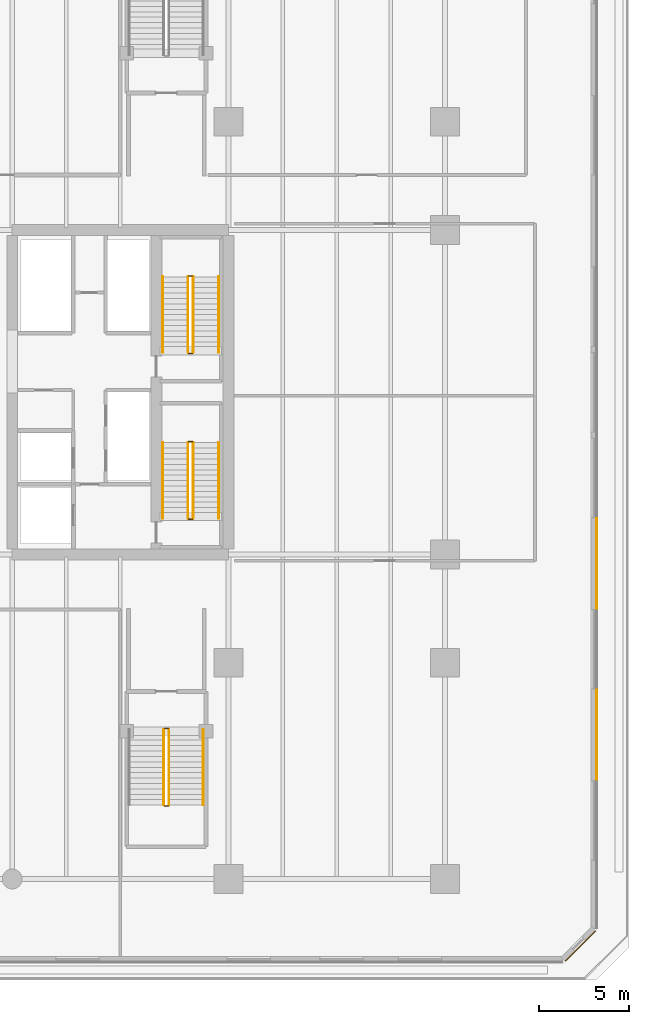
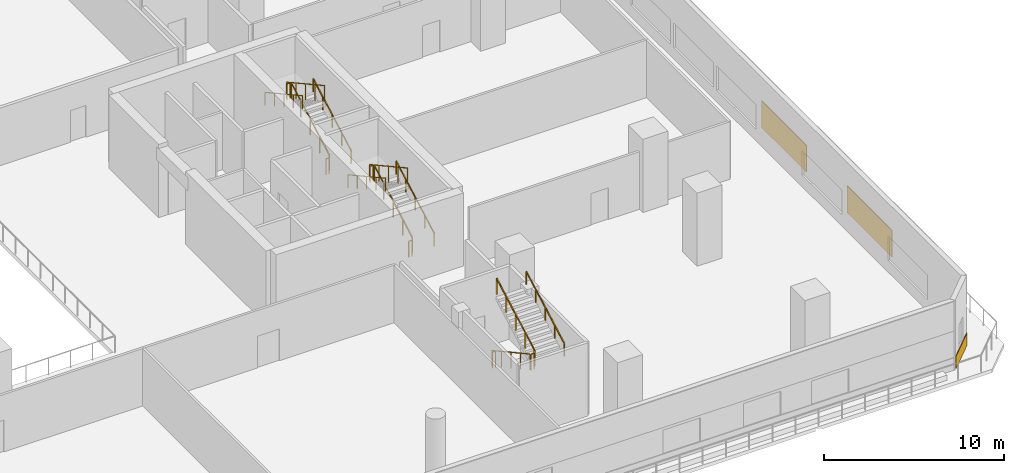
# One storey, part 25 of 27: 17 railings, 3 coverings.
"""IFC4 building model written with IfcOpenShell, lengths in metres."""

import ifcopenshell
import ifcopenshell.guid

model = None  # the IFC model being written
_history = None  # IfcOwnerHistory: only IFC2X3 demands one
_inside = {}  # id of a spatial element -> (the spatial element, [elements in it])
_under = {}  # id of a project, library or spatial element -> (it, [spatial elements below it])
_declared = {}  # id of a project -> (the project, [libraries it declares])
_typed = {}  # id of a type object -> (the type object, [elements of that type])
_made_of = {}  # id of a material, layer set ... -> (it, [elements and type objects made of it])


def new_model(schema):
    """Start an empty IFC model of exactly this schema.

    Asked for "IFC4X3", IfcOpenShell would pick the latest addendum, in which some entities
    have other attributes; the version numbers below select the first issue.
    IFC2X3 requires an IfcOwnerHistory on every rooted entity: one is made here for all.
    """
    global model, _history
    if schema == "IFC4X3":
        model = ifcopenshell.file(schema_version=(4, 3, 0, 0))
    else:
        model = ifcopenshell.file(schema=schema)
    _inside.clear()
    _under.clear()
    _declared.clear()
    _typed.clear()
    _made_of.clear()
    _history = None
    if model.schema == "IFC2X3":
        org = make("IfcOrganization", Name="unknown")
        user = make(
            "IfcPersonAndOrganization",
            ThePerson=make("IfcPerson", FamilyName="unknown"),
            TheOrganization=org,
        )
        app = make(
            "IfcApplication",
            ApplicationDeveloper=org,
            Version="unknown",
            ApplicationFullName="unknown",
            ApplicationIdentifier="unknown",
        )
        _history = make(
            "IfcOwnerHistory",
            OwningUser=user,
            OwningApplication=app,
            ChangeAction="ADDED",
            CreationDate=0,
        )
    return model


def make(cls, **values):
    """One entity of the class cls with the attributes given. An attribute that is None is left unset."""
    return model.create_entity(
        cls, **{name: value for name, value in values.items() if value is not None}
    )


def rooted(cls, **values):
    """An entity with a GlobalId (a new one), such as an element, a storey or a relation."""
    return make(cls, GlobalId=ifcopenshell.guid.new(), OwnerHistory=_history, **values)


def si_unit(unit_type, name, prefix=None):
    """IfcSIUnit, for example si_unit("LENGTHUNIT", "METRE", prefix="MILLI")."""
    return make("IfcSIUnit", UnitType=unit_type, Prefix=prefix, Name=name)


def assignment(units):
    """IfcUnitAssignment: the units of a project."""
    return None if units is None else make("IfcUnitAssignment", Units=units)


def point(xyz):
    """IfcCartesianPoint."""
    return None if xyz is None else make("IfcCartesianPoint", Coordinates=xyz)


def direction(xyz):
    """IfcDirection."""
    return None if xyz is None else make("IfcDirection", DirectionRatios=xyz)


def frame(location, z_axis=None, x_axis=None):
    """IfcAxis2Placement3D, a coordinate frame: its origin and axes. An axis left out is left unset."""
    return make(
        "IfcAxis2Placement3D",
        Location=point(location),
        Axis=direction(z_axis),
        RefDirection=direction(x_axis),
    )


def frame_2d(location, x_axis=None):
    """IfcAxis2Placement2D, a coordinate frame in the plane: its origin and x axis."""
    return make(
        "IfcAxis2Placement2D", Location=point(location), RefDirection=direction(x_axis)
    )


def origin():
    """The frame at (0, 0, 0) with its axes left unset."""
    return frame((0.0, 0.0, 0.0))


def origin_2d():
    """The frame at (0, 0) in the plane with its x axis left unset."""
    return frame_2d((0.0, 0.0))


def place(relative_to, where):
    """IfcLocalPlacement: puts the frame where relative to a parent placement (None: the world)."""
    return make(
        "IfcLocalPlacement", PlacementRelTo=relative_to, RelativePlacement=where
    )


def context(
    kind, dimensions, precision=None, world=None, true_north=None, identifier=None
):
    """IfcGeometricRepresentationContext, for example the 3D "Model" context."""
    return make(
        "IfcGeometricRepresentationContext",
        ContextIdentifier=identifier,
        ContextType=kind,
        CoordinateSpaceDimension=dimensions,
        Precision=precision,
        WorldCoordinateSystem=world,
        TrueNorth=true_north,
    )


def subcontext(parent, identifier, kind, view, scale=None):
    """IfcGeometricRepresentationSubContext, for example "Body" below "Model"."""
    return make(
        "IfcGeometricRepresentationSubContext",
        ContextIdentifier=identifier,
        ContextType=kind,
        ParentContext=parent,
        TargetScale=scale,
        TargetView=view,
    )


def project(units=None, contexts=None):
    """IfcProject with its units and contexts."""
    return rooted(
        "IfcProject",
        Name="project",
        RepresentationContexts=contexts,
        UnitsInContext=assignment(units),
    )


def spatial(cls, under=None, at=None, **own):
    """A site, building, storey or space (cls), placed at a placement, below another one or the project."""
    s = rooted(cls, ObjectPlacement=at, **own)
    if under is not None:
        _under.setdefault(under.id(), (under, []))[1].append(s)
    return s


def profile(cls, at=None, kind="AREA", **sizes):
    """A parametric profile (cls). Its sizes go by their IFC names, for example OverallWidth=200.0."""
    return make(cls, ProfileType=kind, Position=at, **sizes)


def rectangle(**sizes):
    """IfcRectangleProfileDef."""
    return profile("IfcRectangleProfileDef", **sizes)


def extrude(swept, where, along, depth):
    """IfcExtrudedAreaSolid: the profile swept, set in the frame where, extruded along a direction by depth."""
    return make(
        "IfcExtrudedAreaSolid",
        SweptArea=swept,
        Position=where,
        ExtrudedDirection=direction(along),
        Depth=depth,
    )


def shape(context_of_items, identifier, shape_type, items):
    """IfcShapeRepresentation: the items that make up one representation, for example the "Body"."""
    return make(
        "IfcShapeRepresentation",
        ContextOfItems=context_of_items,
        RepresentationIdentifier=identifier,
        RepresentationType=shape_type,
        Items=items,
    )


def material(Name=None, Category=None):
    """IfcMaterial."""
    return make("IfcMaterial", Name=Name, Category=Category)


def layer(
    of_material, thickness, ventilated=None, Name=None, Category=None, Priority=None
):
    """IfcMaterialLayer: one layer of a wall or slab, of a material (None: an air gap)."""
    return make(
        "IfcMaterialLayer",
        Material=of_material,
        LayerThickness=thickness,
        IsVentilated=ventilated,
        Name=Name,
        Category=Category,
        Priority=Priority,
    )


def layer_set(layers, Name=None):
    """IfcMaterialLayerSet."""
    return make("IfcMaterialLayerSet", MaterialLayers=layers, LayerSetName=Name)


def made_of(thing, what):
    """Note that an element or type object is made of a material, layer set ...; save() writes the relation."""
    if what is not None:
        _made_of.setdefault(what.id(), (what, []))[1].append(thing)
    return thing


def type_object(cls, material=None, **own):
    """A type object (cls), such as IfcWallType, which elements share."""
    return made_of(rooted(cls, **own), material)


def element(
    cls,
    number,
    at=None,
    inside=None,
    cuts=None,
    type_object=None,
    material=None,
    context=None,
    identifier="Body",
    shape_type=None,
    held_by="IfcProductDefinitionShape",
    body=None,
    shapes=None,
    **own,
):
    """One element of the class cls, such as IfcWall. Its Tag is "e" and its number.

    at: its placement. inside: the storey or other place that contains it. cuts: it is an
    opening in that element (IfcRelVoidsElement). A single representation is given by context,
    identifier, shape_type and body (its items); several are given by shapes. held_by: the class
    of the entity that holds the representations. save() writes the other relations.
    """
    e = rooted(cls, Tag="e%d" % number, ObjectPlacement=at, **own)
    if body is not None:
        shapes = [shape(context, identifier, shape_type, body)]
    if shapes is not None:
        e.Representation = make(held_by, Representations=shapes)
    if inside is not None:
        _inside.setdefault(inside.id(), (inside, []))[1].append(e)
    if cuts is not None:
        rooted(
            "IfcRelVoidsElement", RelatingBuildingElement=cuts, RelatedOpeningElement=e
        )
    if type_object is not None:
        _typed.setdefault(type_object.id(), (type_object, []))[1].append(e)
    return made_of(e, material)


def aggregate(whole, parts):
    """IfcRelAggregates: a whole, such as a stair, and the parts it consists of."""
    return rooted("IfcRelAggregates", RelatingObject=whole, RelatedObjects=parts)


def save(model, path):
    """Write the relations noted so far, then the file.

    IfcRelAggregates (storeys below a building ...), IfcRelContainedInSpatialStructure (elements
    in a storey), IfcRelDefinesByType, IfcRelAssociatesMaterial and IfcRelDeclares: one each for
    every whole, place, type object, material and project.
    """
    for whole, parts in _under.values():
        aggregate(whole, parts)
    for where, things in _inside.values():
        rooted(
            "IfcRelContainedInSpatialStructure",
            RelatedElements=things,
            RelatingStructure=where,
        )
    for kind, things in _typed.values():
        rooted("IfcRelDefinesByType", RelatedObjects=things, RelatingType=kind)
    for what, things in _made_of.values():
        rooted("IfcRelAssociatesMaterial", RelatedObjects=things, RelatingMaterial=what)
    for by, libraries in _declared.values():
        rooted("IfcRelDeclares", RelatingContext=by, RelatedDefinitions=libraries)
    model.write(path)


model = new_model("IFC4")

# Units and contexts
model_context = context("Model", 3, precision=1e-05, world=origin(), true_north=direction((0.0, 1.0)))
body_context = subcontext(model_context, "Body", "Model", "MODEL_VIEW")
ifc_project = project(units=[si_unit("LENGTHUNIT", "METRE"), si_unit("AREAUNIT", "SQUARE_METRE"), si_unit("VOLUMEUNIT", "CUBIC_METRE"), si_unit("PLANEANGLEUNIT", "RADIAN"), si_unit("MASSUNIT", "GRAM", prefix="KILO")], contexts=[model_context])

# Site, building, storey
site_placement = place(None, origin())
site = spatial("IfcSite", under=ifc_project, at=site_placement, CompositionType="ELEMENT")
building_placement = place(site_placement, origin())
building = spatial("IfcBuilding", under=site, at=building_placement, Name="Tanjung Sevakor Pilgrim Tower", CompositionType="ELEMENT")
storey_placement = place(building_placement, frame((0.0, 0.0, 9.89990234375)))
storey = spatial("IfcBuildingStorey", under=building, at=storey_placement, Name="L03", CompositionType="ELEMENT", Elevation=9.89990234375)

# Coverings
ifc_material_1 = material(Name="Reconstructed Limestone Cladding", Category="masonry")
ifc_layer = layer(ifc_material_1, 0.044921875)
ifc_layer_set = layer_set([ifc_layer], Name="COV-CLAD-LIMESTONE")
covering_type = type_object("IfcCoveringType", Name="COV-CLAD-LIMESTONE", PredefinedType="CLADDING", material=ifc_layer_set)
covering_placement = place(storey_placement, frame((109.515869140625, 2.884033203125, 0.01025390625), z_axis=(0.0, 0.0, 1.0), x_axis=(0.707106781187, 0.707106781187, 0.0)))
element("IfcCovering", 1, at=covering_placement, inside=storey, type_object=covering_type, Name="L03 Warm Limestone Sill Spandrel EW-L03-MAIN-2-1", PredefinedType="CLADDING", context=body_context, shape_type="SweptSolid", body=[
    extrude(rectangle(XDim=2.34130859375, YDim=0.044921875, at=origin_2d()), origin(), (0.0, 0.0, 1.0), 0.840087890625),
])
for number, where, z_axis, x_axis, name in (
    (2, (110.422607421875, 14.60009765625, 0.85009765625), (0.0, 0.0, 1.0), (0.0, 1.0, 0.0), "L03 Warm Limestone Pier Panel EW-L03-MAIN-3-1"),
    (3, (110.422607421875, 24.10009765625, 0.85009765625), (0.0, 0.0, 1.0), (0.0, 1.0, 0.0), "L03 Warm Limestone Pier Panel EW-L03-MAIN-3-2"),
):
    element("IfcCovering", number, at=place(storey_placement, frame(where, z_axis=z_axis, x_axis=x_axis)), inside=storey, type_object=covering_type, Name=name, PredefinedType="CLADDING", context=body_context, shape_type="SweptSolid", body=[
        extrude(rectangle(XDim=5.0, YDim=0.044921875, at=origin_2d()), origin(), (0.0, 0.0, 1.0), 1.81005859375),
    ])

# Railings
ifc_material_2 = material(Name="Steel S355J2", Category="steel")
railing_type_1 = type_object("IfcRailingType", Name="RL-STAIR-GUARD", PredefinedType="GUARDRAIL", material=ifc_material_2)
railing_1_placement = place(storey_placement, frame((88.050048828125, 26.60009765625, 0.1650390625)))
element("IfcRailing", 4, at=railing_1_placement, inside=storey, type_object=railing_type_1, Name="L03 TS-E1 stair guard 1", PredefinedType="GUARDRAIL", context=body_context, shape_type="SweptSolid", body=[
    extrude(rectangle(XDim=0.0479, YDim=0.0479), frame((0.0, 0.0, 1.076171875), z_axis=(0.0, 0.876208380975, 0.481932436249), x_axis=(-1.0, 0.0, 0.0)), (0.0, 0.0, 1.0), 4.793212890625),
    extrude(rectangle(XDim=0.042, YDim=0.042), origin(), (0.0, 0.0, 1.0), 1.052001953125),
    extrude(rectangle(XDim=0.042, YDim=0.042), frame((0.0, 1.050048828125, 0.57763671875)), (0.0, 0.0, 1.0), 1.052001953125),
    extrude(rectangle(XDim=0.042, YDim=0.042), frame((0.0, 2.10009765625, 1.155029296875)), (0.0, 0.0, 1.0), 1.052001953125),
    extrude(rectangle(XDim=0.042, YDim=0.042), frame((0.0, 3.14990234375, 1.732421875)), (0.0, 0.0, 1.0), 1.052001953125),
    extrude(rectangle(XDim=0.042, YDim=0.042), frame((0.0, 4.199951171875, 2.31005859375)), (0.0, 0.0, 1.0), 1.052001953125),
])
railing_2_placement = place(storey_placement, frame((88.0, 30.85009765625, 2.47509765625)))
element("IfcRailing", 5, at=railing_2_placement, inside=storey, type_object=railing_type_1, Name="L03 TS-E1 stair guard 2", PredefinedType="GUARDRAIL", context=body_context, shape_type="SweptSolid", body=[
    extrude(rectangle(XDim=0.0479, YDim=0.0479), frame((0.0, 0.0, 1.076171875), z_axis=(-1.0, 0.0, 0.0), x_axis=(0.0, -1.0, 0.0)), (0.0, 0.0, 1.0), 0.199951171875),
    extrude(rectangle(XDim=0.042, YDim=0.042), origin(), (0.0, 0.0, 1.0), 1.052001953125),
    extrude(rectangle(XDim=0.042, YDim=0.042), frame((-0.199951171875, 0.0, 0.0)), (0.0, 0.0, 1.0), 1.052001953125),
])
railing_3_placement = place(storey_placement, frame((87.75, 30.800048828125, 2.64013671875)))
element("IfcRailing", 6, at=railing_3_placement, inside=storey, type_object=railing_type_1, Name="L03 TS-E1 stair guard 3", PredefinedType="GUARDRAIL", context=body_context, shape_type="SweptSolid", body=[
    extrude(rectangle(XDim=0.0479, YDim=0.0479), frame((0.0, 0.0, 1.076171875), z_axis=(0.0, -0.876208380975, 0.481932436249), x_axis=(1.0, 0.0, 0.0)), (0.0, 0.0, 1.0), 4.793212890625),
    extrude(rectangle(XDim=0.042, YDim=0.042), origin(), (0.0, 0.0, 1.0), 1.052001953125),
    extrude(rectangle(XDim=0.042, YDim=0.042), frame((0.0, -1.050048828125, 0.57763671875)), (0.0, 0.0, 1.0), 1.052001953125),
    extrude(rectangle(XDim=0.042, YDim=0.042), frame((0.0, -2.10009765625, 1.155029296875)), (0.0, 0.0, 1.0), 1.052001953125),
    extrude(rectangle(XDim=0.042, YDim=0.042), frame((0.0, -3.14990234375, 1.732421875)), (0.0, 0.0, 1.0), 1.052001953125),
    extrude(rectangle(XDim=0.042, YDim=0.042), frame((0.0, -4.199951171875, 2.31005859375)), (0.0, 0.0, 1.0), 1.052001953125),
])
railing_4_placement = place(storey_placement, frame((88.0, 26.550048828125, 0.0)))
element("IfcRailing", 7, at=railing_4_placement, inside=storey, type_object=railing_type_1, Name="L03 TS-E1 stair guard 4", PredefinedType="GUARDRAIL", context=body_context, shape_type="SweptSolid", body=[
    extrude(rectangle(XDim=0.0479, YDim=0.0479), frame((0.0, 0.0, 1.076171875), z_axis=(-1.0, 0.0, 0.0), x_axis=(0.0, -1.0, 0.0)), (0.0, 0.0, 1.0), 0.199951171875),
    extrude(rectangle(XDim=0.042, YDim=0.042), origin(), (0.0, 0.0, 1.0), 1.052001953125),
    extrude(rectangle(XDim=0.042, YDim=0.042), frame((-0.199951171875, 0.0, 0.0)), (0.0, 0.0, 1.0), 1.052001953125),
])
railing_5_placement = place(storey_placement, frame((88.050048828125, 35.800048828125, 0.1650390625)))
element("IfcRailing", 8, at=railing_5_placement, inside=storey, type_object=railing_type_1, Name="L03 TS-E2 stair guard 1", PredefinedType="GUARDRAIL", context=body_context, shape_type="SweptSolid", body=[
    extrude(rectangle(XDim=0.0479, YDim=0.0479), frame((0.0, 0.0, 1.076171875), z_axis=(0.0, 0.876208380975, 0.481932436249), x_axis=(-1.0, 0.0, 0.0)), (0.0, 0.0, 1.0), 4.793212890625),
    extrude(rectangle(XDim=0.042, YDim=0.042), origin(), (0.0, 0.0, 1.0), 1.052001953125),
    extrude(rectangle(XDim=0.042, YDim=0.042), frame((0.0, 1.050048828125, 0.57763671875)), (0.0, 0.0, 1.0), 1.052001953125),
    extrude(rectangle(XDim=0.042, YDim=0.042), frame((0.0, 2.10009765625, 1.155029296875)), (0.0, 0.0, 1.0), 1.052001953125),
    extrude(rectangle(XDim=0.042, YDim=0.042), frame((0.0, 3.14990234375, 1.732421875)), (0.0, 0.0, 1.0), 1.052001953125),
    extrude(rectangle(XDim=0.042, YDim=0.042), frame((0.0, 4.199951171875, 2.31005859375)), (0.0, 0.0, 1.0), 1.052001953125),
])
railing_6_placement = place(storey_placement, frame((88.0, 40.050048828125, 2.47509765625)))
element("IfcRailing", 9, at=railing_6_placement, inside=storey, type_object=railing_type_1, Name="L03 TS-E2 stair guard 2", PredefinedType="GUARDRAIL", context=body_context, shape_type="SweptSolid", body=[
    extrude(rectangle(XDim=0.0479, YDim=0.0479), frame((0.0, 0.0, 1.076171875), z_axis=(-1.0, 0.0, 0.0), x_axis=(0.0, -1.0, 0.0)), (0.0, 0.0, 1.0), 0.199951171875),
    extrude(rectangle(XDim=0.042, YDim=0.042), origin(), (0.0, 0.0, 1.0), 1.052001953125),
    extrude(rectangle(XDim=0.042, YDim=0.042), frame((-0.199951171875, 0.0, 0.0)), (0.0, 0.0, 1.0), 1.052001953125),
])
railing_7_placement = place(storey_placement, frame((87.75, 40.0, 2.64013671875)))
element("IfcRailing", 10, at=railing_7_placement, inside=storey, type_object=railing_type_1, Name="L03 TS-E2 stair guard 3", PredefinedType="GUARDRAIL", context=body_context, shape_type="SweptSolid", body=[
    extrude(rectangle(XDim=0.0479, YDim=0.0479), frame((0.0, 0.0, 1.076171875), z_axis=(0.0, -0.876208380975, 0.481932436249), x_axis=(1.0, 0.0, 0.0)), (0.0, 0.0, 1.0), 4.793212890625),
    extrude(rectangle(XDim=0.042, YDim=0.042), origin(), (0.0, 0.0, 1.0), 1.052001953125),
    extrude(rectangle(XDim=0.042, YDim=0.042), frame((0.0, -1.050048828125, 0.57763671875)), (0.0, 0.0, 1.0), 1.052001953125),
    extrude(rectangle(XDim=0.042, YDim=0.042), frame((0.0, -2.10009765625, 1.155029296875)), (0.0, 0.0, 1.0), 1.052001953125),
    extrude(rectangle(XDim=0.042, YDim=0.042), frame((0.0, -3.14990234375, 1.732421875)), (0.0, 0.0, 1.0), 1.052001953125),
    extrude(rectangle(XDim=0.042, YDim=0.042), frame((0.0, -4.199951171875, 2.31005859375)), (0.0, 0.0, 1.0), 1.052001953125),
])
railing_8_placement = place(storey_placement, frame((88.0, 35.75, 0.0)))
element("IfcRailing", 11, at=railing_8_placement, inside=storey, type_object=railing_type_1, Name="L03 TS-E2 stair guard 4", PredefinedType="GUARDRAIL", context=body_context, shape_type="SweptSolid", body=[
    extrude(rectangle(XDim=0.0479, YDim=0.0479), frame((0.0, 0.0, 1.076171875), z_axis=(-1.0, 0.0, 0.0), x_axis=(0.0, -1.0, 0.0)), (0.0, 0.0, 1.0), 0.199951171875),
    extrude(rectangle(XDim=0.042, YDim=0.042), origin(), (0.0, 0.0, 1.0), 1.052001953125),
    extrude(rectangle(XDim=0.042, YDim=0.042), frame((-0.199951171875, 0.0, 0.0)), (0.0, 0.0, 1.0), 1.052001953125),
])
railing_9_placement = place(storey_placement, frame((86.39990234375, 14.89990234375, 0.1650390625)))
element("IfcRailing", 12, at=railing_9_placement, inside=storey, type_object=railing_type_1, Name="L03 PS-5 stair guard 1", PredefinedType="GUARDRAIL", context=body_context, shape_type="SweptSolid", body=[
    extrude(rectangle(XDim=0.0479, YDim=0.0479), frame((0.0, 0.0, 1.076171875), z_axis=(0.0, -0.876208380975, 0.481932436249), x_axis=(1.0, 0.0, 0.0)), (0.0, 0.0, 1.0), 4.793212890625),
    extrude(rectangle(XDim=0.042, YDim=0.042), origin(), (0.0, 0.0, 1.0), 1.052001953125),
    extrude(rectangle(XDim=0.042, YDim=0.042), frame((0.0, -1.050048828125, 0.57763671875)), (0.0, 0.0, 1.0), 1.052001953125),
    extrude(rectangle(XDim=0.042, YDim=0.042), frame((0.0, -2.10009765625, 1.155029296875)), (0.0, 0.0, 1.0), 1.052001953125),
    extrude(rectangle(XDim=0.042, YDim=0.042), frame((0.0, -3.14990234375, 1.732421875)), (0.0, 0.0, 1.0), 1.052001953125),
    extrude(rectangle(XDim=0.042, YDim=0.042), frame((0.0, -4.199951171875, 2.31005859375)), (0.0, 0.0, 1.0), 1.052001953125),
])
railing_10_placement = place(storey_placement, frame((86.449951171875, 10.64990234375, 2.47509765625)))
element("IfcRailing", 13, at=railing_10_placement, inside=storey, type_object=railing_type_1, Name="L03 PS-5 stair guard 2", PredefinedType="GUARDRAIL", context=body_context, shape_type="SweptSolid", body=[
    extrude(rectangle(XDim=0.0479, YDim=0.0479), frame((0.0, 0.0, 1.076171875), z_axis=(1.0, 0.0, 0.0), x_axis=(0.0, 1.0, 0.0)), (0.0, 0.0, 1.0), 0.199951171875),
    extrude(rectangle(XDim=0.042, YDim=0.042), origin(), (0.0, 0.0, 1.0), 1.052001953125),
    extrude(rectangle(XDim=0.042, YDim=0.042), frame((0.199951171875, 0.0, 0.0)), (0.0, 0.0, 1.0), 1.052001953125),
])
railing_11_placement = place(storey_placement, frame((86.699951171875, 10.699951171875, 2.64013671875)))
element("IfcRailing", 14, at=railing_11_placement, inside=storey, type_object=railing_type_1, Name="L03 PS-5 stair guard 3", PredefinedType="GUARDRAIL", context=body_context, shape_type="SweptSolid", body=[
    extrude(rectangle(XDim=0.0479, YDim=0.0479), frame((0.0, 0.0, 1.076171875), z_axis=(0.0, 0.876208380975, 0.481932436249), x_axis=(-1.0, 0.0, 0.0)), (0.0, 0.0, 1.0), 4.793212890625),
    extrude(rectangle(XDim=0.042, YDim=0.042), origin(), (0.0, 0.0, 1.0), 1.052001953125),
    extrude(rectangle(XDim=0.042, YDim=0.042), frame((0.0, 1.050048828125, 0.57763671875)), (0.0, 0.0, 1.0), 1.052001953125),
    extrude(rectangle(XDim=0.042, YDim=0.042), frame((0.0, 2.10009765625, 1.155029296875)), (0.0, 0.0, 1.0), 1.052001953125),
    extrude(rectangle(XDim=0.042, YDim=0.042), frame((0.0, 3.14990234375, 1.732421875)), (0.0, 0.0, 1.0), 1.052001953125),
    extrude(rectangle(XDim=0.042, YDim=0.042), frame((0.0, 4.199951171875, 2.31005859375)), (0.0, 0.0, 1.0), 1.052001953125),
])
railing_12_placement = place(storey_placement, frame((86.449951171875, 14.949951171875, 0.0)))
element("IfcRailing", 15, at=railing_12_placement, inside=storey, type_object=railing_type_1, Name="L03 PS-5 stair guard 4", PredefinedType="GUARDRAIL", context=body_context, shape_type="SweptSolid", body=[
    extrude(rectangle(XDim=0.0479, YDim=0.0479), frame((0.0, 0.0, 1.076171875), z_axis=(1.0, 0.0, 0.0), x_axis=(0.0, 1.0, 0.0)), (0.0, 0.0, 1.0), 0.199951171875),
    extrude(rectangle(XDim=0.042, YDim=0.042), origin(), (0.0, 0.0, 1.0), 1.052001953125),
    extrude(rectangle(XDim=0.042, YDim=0.042), frame((0.199951171875, 0.0, 0.0)), (0.0, 0.0, 1.0), 1.052001953125),
])
ifc_material_3 = material(Name="Steel S355J2", Category="steel")
railing_type_2 = type_object("IfcRailingType", Name="RL-STAIR-HAND", PredefinedType="HANDRAIL", material=ifc_material_3)
railing_13_placement = place(storey_placement, frame((89.449951171875, 26.60009765625, 0.1650390625)))
element("IfcRailing", 16, at=railing_13_placement, inside=storey, type_object=railing_type_2, Name="L03 TS-E1 stair handrail 1", PredefinedType="HANDRAIL", context=body_context, shape_type="SweptSolid", body=[
    extrude(rectangle(XDim=0.0479, YDim=0.0479), frame((0.0, 0.0, 0.8759765625), z_axis=(0.0, 0.876208380975, 0.481932436249), x_axis=(-1.0, 0.0, 0.0)), (0.0, 0.0, 1.0), 4.793212890625),
    extrude(rectangle(XDim=0.042, YDim=0.042), origin(), (0.0, 0.0, 1.0), 0.851806640625),
    extrude(rectangle(XDim=0.042, YDim=0.042), frame((0.0, 1.050048828125, 0.57763671875)), (0.0, 0.0, 1.0), 0.851806640625),
    extrude(rectangle(XDim=0.042, YDim=0.042), frame((0.0, 2.10009765625, 1.155029296875)), (0.0, 0.0, 1.0), 0.851806640625),
    extrude(rectangle(XDim=0.042, YDim=0.042), frame((0.0, 3.14990234375, 1.732421875)), (0.0, 0.0, 1.0), 0.851806640625),
    extrude(rectangle(XDim=0.042, YDim=0.042), frame((0.0, 4.199951171875, 2.31005859375)), (0.0, 0.0, 1.0), 0.851806640625),
])
railing_14_placement = place(storey_placement, frame((86.35009765625, 30.800048828125, 2.64013671875)))
element("IfcRailing", 17, at=railing_14_placement, inside=storey, type_object=railing_type_2, Name="L03 TS-E1 stair handrail 2", PredefinedType="HANDRAIL", context=body_context, shape_type="SweptSolid", body=[
    extrude(rectangle(XDim=0.0479, YDim=0.0479), frame((0.0, 0.0, 0.8759765625), z_axis=(0.0, -0.876208380975, 0.481932436249), x_axis=(1.0, 0.0, 0.0)), (0.0, 0.0, 1.0), 4.793212890625),
    extrude(rectangle(XDim=0.042, YDim=0.042), origin(), (0.0, 0.0, 1.0), 0.851806640625),
    extrude(rectangle(XDim=0.042, YDim=0.042), frame((0.0, -1.050048828125, 0.57763671875)), (0.0, 0.0, 1.0), 0.851806640625),
    extrude(rectangle(XDim=0.042, YDim=0.042), frame((0.0, -2.10009765625, 1.155029296875)), (0.0, 0.0, 1.0), 0.851806640625),
    extrude(rectangle(XDim=0.042, YDim=0.042), frame((0.0, -3.14990234375, 1.732421875)), (0.0, 0.0, 1.0), 0.851806640625),
    extrude(rectangle(XDim=0.042, YDim=0.042), frame((0.0, -4.199951171875, 2.31005859375)), (0.0, 0.0, 1.0), 0.851806640625),
])
railing_15_placement = place(storey_placement, frame((89.449951171875, 35.800048828125, 0.1650390625)))
element("IfcRailing", 18, at=railing_15_placement, inside=storey, type_object=railing_type_2, Name="L03 TS-E2 stair handrail 1", PredefinedType="HANDRAIL", context=body_context, shape_type="SweptSolid", body=[
    extrude(rectangle(XDim=0.0479, YDim=0.0479), frame((0.0, 0.0, 0.8759765625), z_axis=(0.0, 0.876208380975, 0.481932436249), x_axis=(-1.0, 0.0, 0.0)), (0.0, 0.0, 1.0), 4.793212890625),
    extrude(rectangle(XDim=0.042, YDim=0.042), origin(), (0.0, 0.0, 1.0), 0.851806640625),
    extrude(rectangle(XDim=0.042, YDim=0.042), frame((0.0, 1.050048828125, 0.57763671875)), (0.0, 0.0, 1.0), 0.851806640625),
    extrude(rectangle(XDim=0.042, YDim=0.042), frame((0.0, 2.10009765625, 1.155029296875)), (0.0, 0.0, 1.0), 0.851806640625),
    extrude(rectangle(XDim=0.042, YDim=0.042), frame((0.0, 3.14990234375, 1.732421875)), (0.0, 0.0, 1.0), 0.851806640625),
    extrude(rectangle(XDim=0.042, YDim=0.042), frame((0.0, 4.199951171875, 2.31005859375)), (0.0, 0.0, 1.0), 0.851806640625),
])
railing_16_placement = place(storey_placement, frame((86.35009765625, 40.0, 2.64013671875)))
element("IfcRailing", 19, at=railing_16_placement, inside=storey, type_object=railing_type_2, Name="L03 TS-E2 stair handrail 2", PredefinedType="HANDRAIL", context=body_context, shape_type="SweptSolid", body=[
    extrude(rectangle(XDim=0.0479, YDim=0.0479), frame((0.0, 0.0, 0.8759765625), z_axis=(0.0, -0.876208380975, 0.481932436249), x_axis=(1.0, 0.0, 0.0)), (0.0, 0.0, 1.0), 4.793212890625),
    extrude(rectangle(XDim=0.042, YDim=0.042), origin(), (0.0, 0.0, 1.0), 0.851806640625),
    extrude(rectangle(XDim=0.042, YDim=0.042), frame((0.0, -1.050048828125, 0.57763671875)), (0.0, 0.0, 1.0), 0.851806640625),
    extrude(rectangle(XDim=0.042, YDim=0.042), frame((0.0, -2.10009765625, 1.155029296875)), (0.0, 0.0, 1.0), 0.851806640625),
    extrude(rectangle(XDim=0.042, YDim=0.042), frame((0.0, -3.14990234375, 1.732421875)), (0.0, 0.0, 1.0), 0.851806640625),
    extrude(rectangle(XDim=0.042, YDim=0.042), frame((0.0, -4.199951171875, 2.31005859375)), (0.0, 0.0, 1.0), 0.851806640625),
])
railing_17_placement = place(storey_placement, frame((88.60009765625, 10.699951171875, 2.64013671875)))
element("IfcRailing", 20, at=railing_17_placement, inside=storey, type_object=railing_type_2, Name="L03 PS-5 stair handrail 2", PredefinedType="HANDRAIL", context=body_context, shape_type="SweptSolid", body=[
    extrude(rectangle(XDim=0.0479, YDim=0.0479), frame((0.0, 0.0, 0.8759765625), z_axis=(0.0, 0.876208380975, 0.481932436249), x_axis=(-1.0, 0.0, 0.0)), (0.0, 0.0, 1.0), 4.793212890625),
    extrude(rectangle(XDim=0.042, YDim=0.042), origin(), (0.0, 0.0, 1.0), 0.851806640625),
    extrude(rectangle(XDim=0.042, YDim=0.042), frame((0.0, 1.050048828125, 0.57763671875)), (0.0, 0.0, 1.0), 0.851806640625),
    extrude(rectangle(XDim=0.042, YDim=0.042), frame((0.0, 2.10009765625, 1.155029296875)), (0.0, 0.0, 1.0), 0.851806640625),
    extrude(rectangle(XDim=0.042, YDim=0.042), frame((0.0, 3.14990234375, 1.732421875)), (0.0, 0.0, 1.0), 0.851806640625),
    extrude(rectangle(XDim=0.042, YDim=0.042), frame((0.0, 4.199951171875, 2.31005859375)), (0.0, 0.0, 1.0), 0.851806640625),
])

save(model, "model.ifc")
